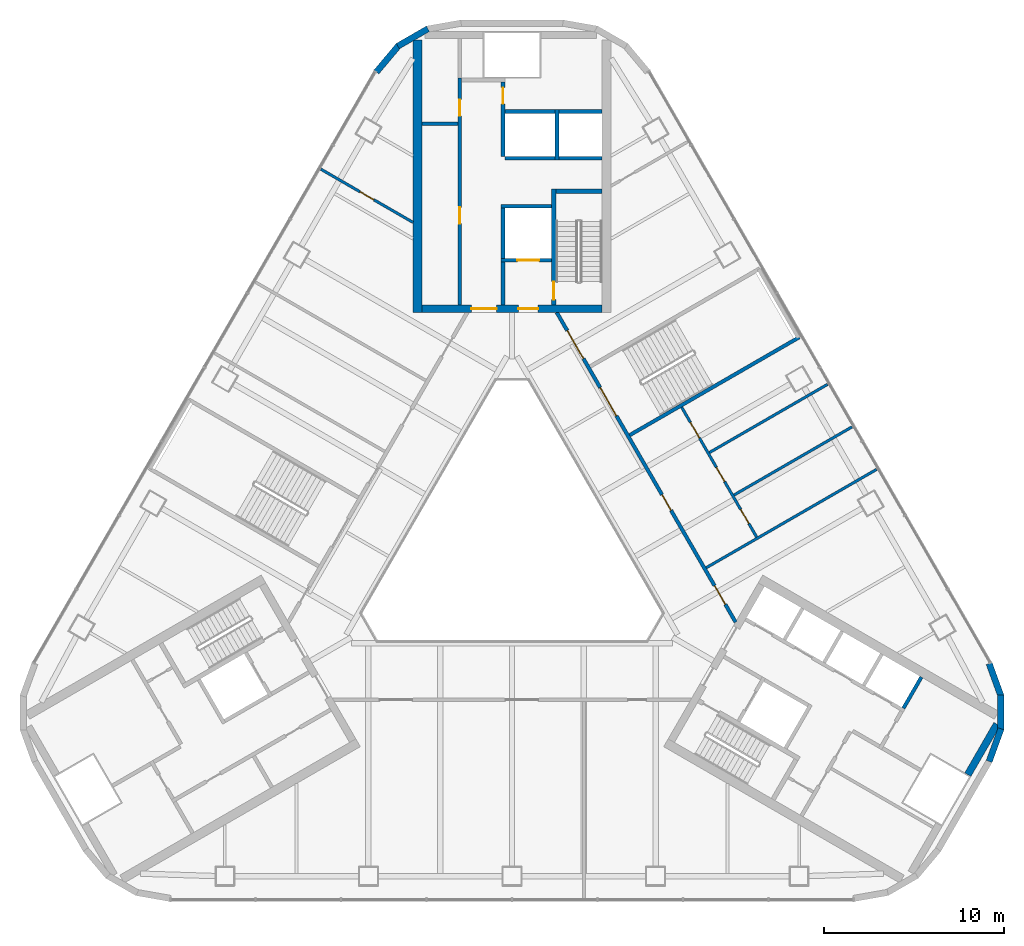
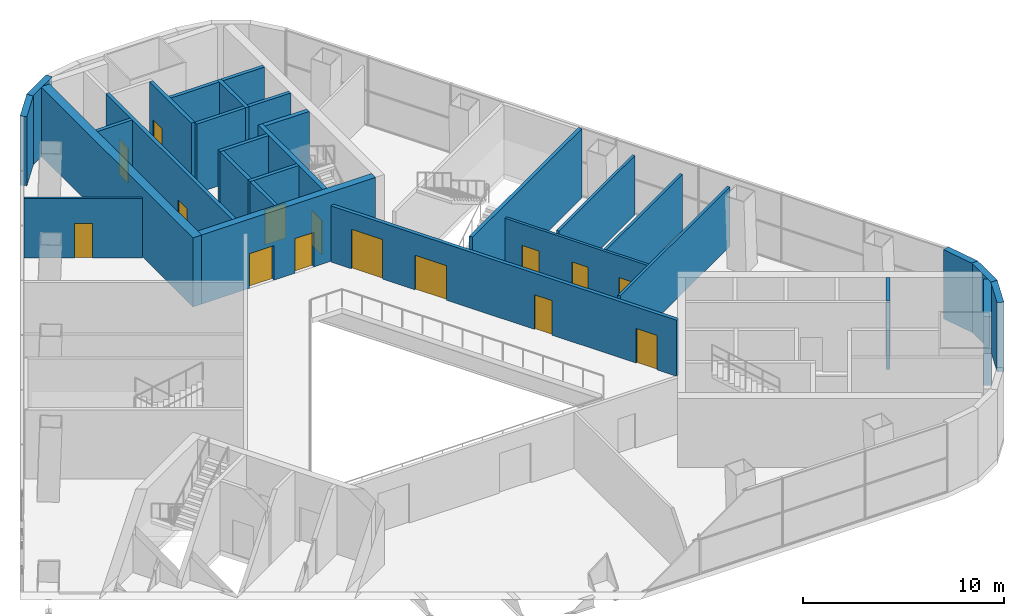
# One storey, part 9 of 12: 30 walls, 15 doors, 15 openings.
"""IFC4 building model written with IfcOpenShell, lengths in metres."""

from ifc_helpers import new_model, si_unit, direction, frame, frame_2d, origin, place, context, subcontext, project, spatial, rectangle, extrude, material, layer, layer_set, type_object, element, fill, save


model = new_model("IFC4")

# Units and contexts
model_context = context("Model", 3, precision=1e-05, world=origin(), true_north=direction((0.0, 1.0)))
body_context = subcontext(model_context, "Body", "Model", "MODEL_VIEW")
ifc_project = project(units=[si_unit("LENGTHUNIT", "METRE"), si_unit("AREAUNIT", "SQUARE_METRE"), si_unit("VOLUMEUNIT", "CUBIC_METRE"), si_unit("PLANEANGLEUNIT", "RADIAN"), si_unit("MASSUNIT", "GRAM", prefix="KILO")], contexts=[model_context])

# Site, building, storey
site_placement = place(None, origin())
site = spatial("IfcSite", under=ifc_project, at=site_placement, CompositionType="ELEMENT")
building_placement = place(site_placement, origin())
building = spatial("IfcBuilding", under=site, at=building_placement, Name="Apuvela Tower Hotel", CompositionType="ELEMENT")
storey_placement = place(building_placement, frame((0.0, 0.0, 28.5)))
storey = spatial("IfcBuildingStorey", under=building, at=storey_placement, Name="L04", CompositionType="ELEMENT", Elevation=28.5)

# Wall, openings, doors
ifc_material_1 = material(Name="Concrete C50/60", Category="concrete")
ifc_layer_1 = layer(ifc_material_1, 0.39990234375)
ifc_layer_set_1 = layer_set([ifc_layer_1], Name="COR-WALL-CORE-400")
wall_type_1 = type_object("IfcWallType", Name="COR-WALL-CORE-400", PredefinedType="SHEAR", material=ifc_layer_set_1)
wall_1_placement = place(storey_placement, frame((5.0, 13.10009765625, 0.0), z_axis=(0.0, 0.0, 1.0), x_axis=(-1.0, 0.0, 0.0)))
wall_1 = element("IfcWall", 1, at=wall_1_placement, inside=storey, type_object=wall_type_1, Name="Core wall N", PredefinedType="SHEAR", context=body_context, shape_type="SweptSolid", body=[
    extrude(rectangle(XDim=10.0, YDim=0.39990234375, at=frame_2d((5.0, 0.0))), origin(), (0.0, 0.0, 1.0), 4.199951171875),
])
opening_1_placement = place(wall_1_placement, frame((3.550048828125, 0.0, 0.0)))
opening_1 = element("IfcOpeningElement", 2, at=opening_1_placement, cuts=wall_1, Name="Opening N-FD", PredefinedType="OPENING", context=body_context, shape_type="SweptSolid", body=[
    extrude(rectangle(XDim=1.10009765625, YDim=2.10009765625, at=frame_2d((0.550048828125, 1.050048828125))), frame((0.0, 0.2099609375, 0.0), z_axis=(0.0, -1.0, 0.0), x_axis=(1.0, 0.0, 0.0)), (0.0, 0.0, 1.0), 0.419921875),
])
opening_2_placement = place(wall_1_placement, frame((5.85009765625, 0.0, 0.0)))
opening_2 = element("IfcOpeningElement", 3, at=opening_2_placement, cuts=wall_1, Name="Opening N-GD", PredefinedType="OPENING", context=body_context, shape_type="SweptSolid", body=[
    extrude(rectangle(XDim=1.39990234375, YDim=2.10009765625, at=frame_2d((0.699951171875, 1.050048828125))), frame((0.0, 0.2099609375, 0.0), z_axis=(0.0, -1.0, 0.0), x_axis=(1.0, 0.0, 0.0)), (0.0, 0.0, 1.0), 0.419921875),
])
ifc_material_2 = material(Name="Steel fire door, powder coated", Category="steel")
door_type_1 = type_object("IfcDoorType", Name="COR-FD-1100", OperationType="NOTDEFINED", PredefinedType="DOOR", material=ifc_material_2)
door_1_placement = place(opening_1_placement, frame((1.10009765625, 0.0, 0.0), z_axis=(0.0, 0.0, 1.0), x_axis=(-1.0, 0.0, 0.0)))
door_1 = element("IfcDoor", 4, at=door_1_placement, inside=storey, type_object=door_type_1, Name="Firefighting lobby door N-FD", OperationType="SINGLE_SWING_LEFT", OverallHeight=2.10009765625, OverallWidth=1.10009765625, PredefinedType="DOOR", context=body_context, shape_type="SweptSolid", body=[
    extrude(rectangle(XDim=1.10009765625, YDim=2.10009765625, at=frame_2d((0.550048828125, 1.050048828125))), frame((0.0, 0.02490234375, 0.0), z_axis=(0.0, -1.0, 0.0), x_axis=(1.0, 0.0, 0.0)), (0.0, 0.0, 1.0), 0.050048828125),
])
fill(opening_1, door_1)
ifc_material_3 = material(Name="Glazed steel fire door", Category="steel")
door_type_2 = type_object("IfcDoorType", Name="COR-GD-1400", OperationType="DOUBLE_DOOR_SINGLE_SWING", PredefinedType="DOOR", material=ifc_material_3)
door_2_placement = place(opening_2_placement, frame((1.39990234375, 0.0, 0.0), z_axis=(0.0, 0.0, 1.0), x_axis=(-1.0, 0.0, 0.0)))
door_2 = element("IfcDoor", 5, at=door_2_placement, inside=storey, type_object=door_type_2, Name="Lift lobby door N-GD", OperationType="DOUBLE_DOOR_SINGLE_SWING", OverallHeight=2.10009765625, OverallWidth=1.39990234375, PredefinedType="DOOR", context=body_context, shape_type="SweptSolid", body=[
    extrude(rectangle(XDim=1.39990234375, YDim=2.10009765625, at=frame_2d((0.699951171875, 1.050048828125))), frame((0.0, 0.02490234375, 0.0), z_axis=(0.0, -1.0, 0.0), x_axis=(1.0, 0.0, 0.0)), (0.0, 0.0, 1.0), 0.050048828125),
])
fill(opening_2, door_2)

# Walls
wall_2_placement = place(storey_placement, frame((25.30859375, -12.764404296875, 0.0), z_axis=(0.0, 0.0, 1.0), x_axis=(0.499955552719, 0.866051063914, 0.0)))
element("IfcWall", 6, at=wall_2_placement, inside=storey, type_object=wall_type_1, Name="Core wall SE", PredefinedType="SHEAR", context=body_context, shape_type="SweptSolid", body=[
    extrude(rectangle(XDim=3.233642578125, YDim=0.39990234375, at=frame_2d((1.61669921875, 0.0))), origin(), (0.0, 0.0, 1.0), 4.199951171875),
])
ifc_layer_2 = layer(ifc_material_1, 0.5)
ifc_layer_set_2 = layer_set([ifc_layer_2], Name="COR-WALL-CORE-500")
wall_type_2 = type_object("IfcWallType", Name="COR-WALL-CORE-500", PredefinedType="SHEAR", material=ifc_layer_set_2)
wall_3_placement = place(storey_placement, frame((-5.25, 12.89990234375, 0.0), z_axis=(0.0, 0.0, 1.0), x_axis=(0.0, 1.0, 0.0)))
element("IfcWall", 7, at=wall_3_placement, inside=storey, type_object=wall_type_2, Name="Core wall N", PredefinedType="SHEAR", context=body_context, shape_type="SweptSolid", body=[
    extrude(rectangle(XDim=15.13037109375, YDim=0.5, at=frame_2d((7.565185546875, 0.0))), origin(), (0.0, 0.0, 1.0), 4.199951171875),
])
ifc_material_4 = material(Name="Blockwork 200 mm plastered", Category="masonry")
ifc_layer_3 = layer(ifc_material_4, 0.199951171875)
ifc_layer_set_3 = layer_set([ifc_layer_3], Name="COR-WALL-PART-200")
wall_type_3 = type_object("IfcWallType", Name="COR-WALL-PART-200", PredefinedType="PARTITIONING", material=ifc_layer_set_3)
wall_4_placement = place(storey_placement, frame((5.0, 21.449951171875, 0.0), z_axis=(0.0, 0.0, 1.0), x_axis=(-1.0, 0.0, 0.0)))
element("IfcWall", 8, at=wall_4_placement, inside=storey, type_object=wall_type_3, Name="Partition N", PredefinedType="PARTITIONING", context=body_context, shape_type="SweptSolid", body=[
    extrude(rectangle(XDim=2.39990234375, YDim=0.199951171875, at=frame_2d((1.199951171875, 0.0))), origin(), (0.0, 0.0, 1.0), 4.199951171875),
])
wall_5_placement = place(storey_placement, frame((2.39990234375, 21.449951171875, 0.0), z_axis=(0.0, 0.0, 1.0), x_axis=(-1.0, 0.0, 0.0)))
element("IfcWall", 9, at=wall_5_placement, inside=storey, type_object=wall_type_3, Name="Partition N", PredefinedType="PARTITIONING", context=body_context, shape_type="SweptSolid", body=[
    extrude(rectangle(XDim=2.7998046875, YDim=0.199951171875, at=frame_2d((1.39990234375, 0.0))), origin(), (0.0, 0.0, 1.0), 4.199951171875),
])
ifc_layer_4 = layer(ifc_material_1, 0.199951171875)
ifc_layer_set_4 = layer_set([ifc_layer_4], Name="COR-WALL-SHAFT-200")
wall_type_4 = type_object("IfcWallType", Name="COR-WALL-SHAFT-200", PredefinedType="SHEAR", material=ifc_layer_set_4)
wall_6_placement = place(storey_placement, frame((2.199951171875, 18.800048828125, 0.0), z_axis=(0.0, 0.0, 1.0), x_axis=(-1.0, 0.0, 0.0)))
element("IfcWall", 10, at=wall_6_placement, inside=storey, type_object=wall_type_4, Name="Shaft wall N", PredefinedType="SHEAR", context=body_context, shape_type="SweptSolid", body=[
    extrude(rectangle(XDim=2.800048828125, YDim=0.199951171875, at=frame_2d((1.39990234375, 0.0))), origin(), (0.0, 0.0, 1.0), 4.199951171875),
])

# Wall, opening, door
wall_7_placement = place(storey_placement, frame((2.199951171875, 15.800048828125, 0.0), z_axis=(0.0, 0.0, 1.0), x_axis=(-1.0, 0.0, 0.0)))
wall_7 = element("IfcWall", 11, at=wall_7_placement, inside=storey, type_object=wall_type_4, Name="Shaft wall N", PredefinedType="SHEAR", context=body_context, shape_type="SweptSolid", body=[
    extrude(rectangle(XDim=2.800048828125, YDim=0.199951171875, at=frame_2d((1.39990234375, 0.0))), origin(), (0.0, 0.0, 1.0), 4.199951171875),
])
opening_3_placement = place(wall_7_placement, frame((0.699951171875, 0.0, 0.0)))
opening_3 = element("IfcOpeningElement", 12, at=opening_3_placement, cuts=wall_7, Name="Opening N-LD-FS1", PredefinedType="OPENING", context=body_context, shape_type="SweptSolid", body=[
    extrude(rectangle(XDim=1.199951171875, YDim=2.10009765625, at=frame_2d((0.60009765625, 1.050048828125))), frame((0.0, 0.10986328125, 0.0), z_axis=(0.0, -1.0, 0.0), x_axis=(1.0, 0.0, 0.0)), (0.0, 0.0, 1.0), 0.219970703125),
])
ifc_material_5 = material(Name="Stainless steel lift landing door", Category="steel")
door_type_3 = type_object("IfcDoorType", Name="COR-LD-1200", OperationType="DOUBLE_DOOR_SLIDING", PredefinedType="DOOR", material=ifc_material_5)
door_3_placement = place(opening_3_placement, origin())
door_3 = element("IfcDoor", 13, at=door_3_placement, inside=storey, type_object=door_type_3, Name="Lift landing door N-LD-FS1", OperationType="DOUBLE_DOOR_SLIDING", OverallHeight=2.10009765625, OverallWidth=1.199951171875, PredefinedType="DOOR", context=body_context, shape_type="SweptSolid", body=[
    extrude(rectangle(XDim=1.199951171875, YDim=2.10009765625, at=frame_2d((0.60009765625, 1.050048828125))), frame((0.0, 0.02490234375, 0.0), z_axis=(0.0, -1.0, 0.0), x_axis=(1.0, 0.0, 0.0)), (0.0, 0.0, 1.0), 0.050048828125),
])
fill(opening_3, door_3)

# Walls
wall_8_placement = place(storey_placement, frame((-0.5, 15.89990234375, 0.0), z_axis=(0.0, 0.0, 1.0), x_axis=(0.0, 1.0, 0.0)))
element("IfcWall", 14, at=wall_8_placement, inside=storey, type_object=wall_type_4, Name="Shaft wall N", PredefinedType="SHEAR", context=body_context, shape_type="SweptSolid", body=[
    extrude(rectangle(XDim=2.800048828125, YDim=0.199951171875, at=frame_2d((1.39990234375, 0.0))), origin(), (0.0, 0.0, 1.0), 4.199951171875),
])
wall_9_placement = place(storey_placement, frame((-0.5, 13.300048828125, 0.0), z_axis=(0.0, 0.0, 1.0), x_axis=(0.0, 1.0, 0.0)))
element("IfcWall", 15, at=wall_9_placement, inside=storey, type_object=wall_type_4, Name="Shaft wall N", PredefinedType="SHEAR", context=body_context, shape_type="SweptSolid", body=[
    extrude(rectangle(XDim=2.39990234375, YDim=0.199951171875, at=frame_2d((1.199951171875, 0.0))), origin(), (0.0, 0.0, 1.0), 4.199951171875),
])

# Wall, openings, doors
wall_10_placement = place(storey_placement, frame((-2.89990234375, 13.300048828125, 0.0), z_axis=(0.0, 0.0, 1.0), x_axis=(0.0, 1.0, 0.0)))
wall_10 = element("IfcWall", 16, at=wall_10_placement, inside=storey, type_object=wall_type_4, Name="Shaft wall N", PredefinedType="SHEAR", context=body_context, shape_type="SweptSolid", body=[
    extrude(rectangle(XDim=12.599853515625, YDim=0.199951171875, at=frame_2d((6.2998046875, 0.0))), origin(), (0.0, 0.0, 1.0), 4.199951171875),
])
opening_4_placement = place(wall_10_placement, frame((4.530029296875, 0.0, 0.0)))
opening_4 = element("IfcOpeningElement", 17, at=opening_4_placement, cuts=wall_10, Name="Opening N-RE1", PredefinedType="OPENING", context=body_context, shape_type="SweptSolid", body=[
    extrude(rectangle(XDim=0.89990234375, YDim=2.10009765625, at=frame_2d((0.449951171875, 1.050048828125))), frame((0.0, 0.10986328125, 0.0), z_axis=(0.0, -1.0, 0.0), x_axis=(1.0, 0.0, 0.0)), (0.0, 0.0, 1.0), 0.219970703125),
])
opening_5_placement = place(wall_10_placement, frame((10.510009765625, 0.0, 0.0)))
opening_5 = element("IfcOpeningElement", 18, at=opening_5_placement, cuts=wall_10, Name="Opening N-REP", PredefinedType="OPENING", context=body_context, shape_type="SweptSolid", body=[
    extrude(rectangle(XDim=0.89990234375, YDim=2.10009765625, at=frame_2d((0.449951171875, 1.050048828125))), frame((0.0, 0.10986328125, 0.0), z_axis=(0.0, -1.0, 0.0), x_axis=(1.0, 0.0, 0.0)), (0.0, 0.0, 1.0), 0.219970703125),
])
door_type_4 = type_object("IfcDoorType", Name="COR-DR-900", OperationType="NOTDEFINED", PredefinedType="DOOR", material=ifc_material_2)
door_4_placement = place(opening_4_placement, origin())
door_4 = element("IfcDoor", 19, at=door_4_placement, inside=storey, type_object=door_type_4, Name="Store door N-RE1", OperationType="SINGLE_SWING_LEFT", OverallHeight=2.10009765625, OverallWidth=0.89990234375, PredefinedType="DOOR", context=body_context, shape_type="SweptSolid", body=[
    extrude(rectangle(XDim=0.89990234375, YDim=2.10009765625, at=frame_2d((0.449951171875, 1.050048828125))), frame((0.0, 0.02490234375, 0.0), z_axis=(0.0, -1.0, 0.0), x_axis=(1.0, 0.0, 0.0)), (0.0, 0.0, 1.0), 0.050048828125),
])
fill(opening_4, door_4)
door_5_placement = place(opening_5_placement, origin())
door_5 = element("IfcDoor", 20, at=door_5_placement, inside=storey, type_object=door_type_4, Name="Store door N-REP", OperationType="SINGLE_SWING_RIGHT", OverallHeight=2.10009765625, OverallWidth=0.89990234375, PredefinedType="DOOR", context=body_context, shape_type="SweptSolid", body=[
    extrude(rectangle(XDim=0.89990234375, YDim=2.10009765625, at=frame_2d((0.449951171875, 1.050048828125))), frame((0.0, 0.02490234375, 0.0), z_axis=(0.0, -1.0, 0.0), x_axis=(1.0, 0.0, 0.0)), (0.0, 0.0, 1.0), 0.050048828125),
])
fill(opening_5, door_5)

# Wall, opening, door
wall_11_placement = place(storey_placement, frame((-0.5, 21.550048828125, 0.0), z_axis=(0.0, 0.0, 1.0), x_axis=(0.0, 1.0, 0.0)))
wall_11 = element("IfcWall", 21, at=wall_11_placement, inside=storey, type_object=wall_type_4, Name="Shaft wall N", PredefinedType="SHEAR", context=body_context, shape_type="SweptSolid", body=[
    extrude(rectangle(XDim=4.14990234375, YDim=0.199951171875, at=frame_2d((2.074951171875, 0.0))), origin(), (0.0, 0.0, 1.0), 4.199951171875),
])
opening_6_placement = place(wall_11_placement, frame((2.925048828125, 0.0, 0.0)))
opening_6 = element("IfcOpeningElement", 22, at=opening_6_placement, cuts=wall_11, Name="Opening N-RSP", PredefinedType="OPENING", context=body_context, shape_type="SweptSolid", body=[
    extrude(rectangle(XDim=0.89990234375, YDim=2.10009765625, at=frame_2d((0.449951171875, 1.050048828125))), frame((0.0, 0.10986328125, 0.0), z_axis=(0.0, -1.0, 0.0), x_axis=(1.0, 0.0, 0.0)), (0.0, 0.0, 1.0), 0.219970703125),
])
door_6_placement = place(opening_6_placement, frame((0.89990234375, 0.0, 0.0), z_axis=(0.0, 0.0, 1.0), x_axis=(-1.0, 0.0, 0.0)))
door_6 = element("IfcDoor", 23, at=door_6_placement, inside=storey, type_object=door_type_4, Name="Store door N-RSP", OperationType="SINGLE_SWING_LEFT", OverallHeight=2.10009765625, OverallWidth=0.89990234375, PredefinedType="DOOR", context=body_context, shape_type="SweptSolid", body=[
    extrude(rectangle(XDim=0.89990234375, YDim=2.10009765625, at=frame_2d((0.449951171875, 1.050048828125))), frame((0.0, 0.02490234375, 0.0), z_axis=(0.0, -1.0, 0.0), x_axis=(1.0, 0.0, 0.0)), (0.0, 0.0, 1.0), 0.050048828125),
])
fill(opening_6, door_6)

# Walls
wall_12_placement = place(storey_placement, frame((-3.0, 23.360107421875, 0.0), z_axis=(0.0, 0.0, 1.0), x_axis=(-1.0, 0.0, 0.0)))
element("IfcWall", 24, at=wall_12_placement, inside=storey, type_object=wall_type_4, Name="Shaft wall N", PredefinedType="SHEAR", context=body_context, shape_type="SweptSolid", body=[
    extrude(rectangle(XDim=2.0, YDim=0.199951171875, at=frame_2d((1.0, 0.0))), origin(), (0.0, 0.0, 1.0), 4.199951171875),
])
wall_13_placement = place(storey_placement, frame((2.5, 21.35009765625, 0.0), z_axis=(0.0, 0.0, 1.0), x_axis=(0.0, 1.0, 0.0)))
element("IfcWall", 25, at=wall_13_placement, inside=storey, type_object=wall_type_4, Name="Shaft wall N", PredefinedType="SHEAR", context=body_context, shape_type="SweptSolid", body=[
    extrude(rectangle(XDim=2.7998046875, YDim=0.199951171875, at=frame_2d((1.39990234375, 0.0))), origin(), (0.0, 0.0, 1.0), 4.199951171875),
])
wall_14_placement = place(storey_placement, frame((5.0, 24.050048828125, 0.0), z_axis=(0.0, 0.0, 1.0), x_axis=(-1.0, 0.0, 0.0)))
element("IfcWall", 26, at=wall_14_placement, inside=storey, type_object=wall_type_4, Name="Shaft wall N", PredefinedType="SHEAR", context=body_context, shape_type="SweptSolid", body=[
    extrude(rectangle(XDim=2.39990234375, YDim=0.199951171875, at=frame_2d((1.199951171875, 0.0))), origin(), (0.0, 0.0, 1.0), 4.199951171875),
])
wall_15_placement = place(storey_placement, frame((2.39990234375, 24.050048828125, 0.0), z_axis=(0.0, 0.0, 1.0), x_axis=(-1.0, 0.0, 0.0)))
element("IfcWall", 27, at=wall_15_placement, inside=storey, type_object=wall_type_4, Name="Shaft wall N", PredefinedType="SHEAR", context=body_context, shape_type="SweptSolid", body=[
    extrude(rectangle(XDim=2.7998046875, YDim=0.199951171875, at=frame_2d((1.39990234375, 0.0))), origin(), (0.0, 0.0, 1.0), 4.199951171875),
])
wall_16_placement = place(storey_placement, frame((21.73046875, -9.081787109375, 0.0), z_axis=(0.0, 0.0, 1.0), x_axis=(0.50002537861, 0.866010750942, 0.0)))
element("IfcWall", 28, at=wall_16_placement, inside=storey, type_object=wall_type_4, Name="Shaft wall SE", PredefinedType="SHEAR", context=body_context, shape_type="SweptSolid", body=[
    extrude(rectangle(XDim=2.0, YDim=0.199951171875, at=frame_2d((1.0, 0.0))), origin(), (0.0, 0.0, 1.0), 4.199951171875),
])

# Wall, opening, door
ifc_layer_5 = layer(ifc_material_1, 0.25)
ifc_layer_set_5 = layer_set([ifc_layer_5], Name="COR-WALL-STAIR-250")
wall_type_5 = type_object("IfcWallType", Name="COR-WALL-STAIR-250", PredefinedType="SHEAR", material=ifc_layer_set_5)
wall_17_placement = place(storey_placement, frame((2.324951171875, 13.300048828125, 0.0), z_axis=(0.0, 0.0, 1.0), x_axis=(0.0, 1.0, 0.0)))
wall_17 = element("IfcWall", 29, at=wall_17_placement, inside=storey, type_object=wall_type_5, Name="Stair wall N", PredefinedType="SHEAR", context=body_context, shape_type="SweptSolid", body=[
    extrude(rectangle(XDim=6.449951171875, YDim=0.25, at=frame_2d((3.22509765625, 0.0))), origin(), (0.0, 0.0, 1.0), 4.199951171875),
])
opening_7_placement = place(wall_17_placement, frame((0.300048828125, 0.0, 0.0)))
opening_7 = element("IfcOpeningElement", 30, at=opening_7_placement, cuts=wall_17, Name="Opening N-SD", PredefinedType="OPENING", context=body_context, shape_type="SweptSolid", body=[
    extrude(rectangle(XDim=1.0, YDim=2.10009765625, at=frame_2d((0.5, 1.050048828125))), frame((0.0, 0.135009765625, 0.0), z_axis=(0.0, -1.0, 0.0), x_axis=(1.0, 0.0, 0.0)), (0.0, 0.0, 1.0), 0.27001953125),
])
door_type_5 = type_object("IfcDoorType", Name="COR-SD-1000", OperationType="NOTDEFINED", PredefinedType="DOOR", material=ifc_material_2)
door_7_placement = place(opening_7_placement, frame((1.0, 0.0, 0.0), z_axis=(0.0, 0.0, 1.0), x_axis=(-1.0, 0.0, 0.0)))
door_7 = element("IfcDoor", 31, at=door_7_placement, inside=storey, type_object=door_type_5, Name="Stair door N-SD", OperationType="SINGLE_SWING_LEFT", OverallHeight=2.10009765625, OverallWidth=1.0, PredefinedType="DOOR", context=body_context, shape_type="SweptSolid", body=[
    extrude(rectangle(XDim=1.0, YDim=2.10009765625, at=frame_2d((0.5, 1.050048828125))), frame((0.0, 0.02490234375, 0.0), z_axis=(0.0, -1.0, 0.0), x_axis=(1.0, 0.0, 0.0)), (0.0, 0.0, 1.0), 0.050048828125),
])
fill(opening_7, door_7)

# Walls
wall_18_placement = place(storey_placement, frame((5.0, 19.625, 0.0), z_axis=(0.0, 0.0, 1.0), x_axis=(-1.0, 0.0, 0.0)))
element("IfcWall", 32, at=wall_18_placement, inside=storey, type_object=wall_type_5, Name="Stair wall N", PredefinedType="SHEAR", context=body_context, shape_type="SweptSolid", body=[
    extrude(rectangle(XDim=2.550048828125, YDim=0.25, at=frame_2d((1.27490234375, 0.0))), origin(), (0.0, 0.0, 1.0), 4.199951171875),
])
ifc_material_6 = material(Name="Concrete C40/50, dark pigmented precast panel", Category="concrete")
ifc_layer_6 = layer(ifc_material_6, 0.35009765625)
ifc_layer_set_6 = layer_set([ifc_layer_6], Name="ENV-WALL-350")
wall_type_6 = type_object("IfcWallType", Name="ENV-WALL-350", PredefinedType="SOLIDWALL", material=ifc_layer_set_6)
for number, where, z_axis, x_axis, name in (
    (33, (-4.6669921875, 28.64453125, 0.0), (0.0, 0.0, 1.0), (-0.866052736899, -0.499952654668, 0.0), "External wall L04-05"),
    (34, (-6.2900390625, 27.7197265625, 0.0), (0.0, 0.0, 1.0), (-0.642746534531, -0.76607890739, 0.0), "External wall L04-06"),
):
    element("IfcWall", number, at=place(storey_placement, frame(where, z_axis=z_axis, x_axis=x_axis)), inside=storey, type_object=wall_type_6, Name=name, PredefinedType="SOLIDWALL", context=body_context, shape_type="SweptSolid", body=[
        extrude(rectangle(XDim=1.927978515625, YDim=0.35009765625, at=frame_2d((0.9638671875, 0.0))), origin(), (0.0, 0.0, 1.0), 4.199951171875),
    ])
for number, where, z_axis, x_axis, name in (
    (35, (26.491455078125, -12.03271484375, 0.0), (0.0, 0.0, 1.0), (0.341976867365, 0.939708370819, 0.0), "External wall L04-20"),
    (36, (27.140380859375, -10.28076171875, 0.0), (0.0, 0.0, 1.0), (0.0, 1.0, 0.0), "External wall L04-21"),
    (37, (27.15087890625, -8.41259765625, 0.0), (0.0, 0.0, 1.0), (-0.341976867365, 0.939708370819, 0.0), "External wall L04-22"),
):
    element("IfcWall", number, at=place(storey_placement, frame(where, z_axis=z_axis, x_axis=x_axis)), inside=storey, type_object=wall_type_6, Name=name, PredefinedType="SOLIDWALL", context=body_context, shape_type="SweptSolid", body=[
        extrude(rectangle(XDim=1.92822265625, YDim=0.35009765625, at=frame_2d((0.964111328125, 0.0))), origin(), (0.0, 0.0, 1.0), 4.199951171875),
    ])

# Wall, openings, doors
ifc_material_7 = material(Name="Fire-rated gypsum board partition on steel stud", Category="steel")
ifc_layer_7 = layer(ifc_material_7, 0.199951171875)
ifc_layer_set_7 = layer_set([ifc_layer_7], Name="SPC-WALL-CORRIDOR")
wall_type_7 = type_object("IfcWallType", Name="SPC-WALL-CORRIDOR", PredefinedType="PARTITIONING", material=ifc_layer_set_7)
wall_19_placement = place(storey_placement, frame((12.4130859375, -4.300048828125, 0.0), z_axis=(0.0, 0.0, 1.0), x_axis=(-0.50000478328, 0.866022642139, 0.0)))
wall_19 = element("IfcWall", 38, at=wall_19_placement, inside=storey, type_object=wall_type_7, Name="Wall L04-NE-CW", PredefinedType="PARTITIONING", context=body_context, shape_type="SweptSolid", body=[
    extrude(rectangle(XDim=19.861083984375, YDim=0.199951171875, at=frame_2d((9.9306640625, 0.0))), origin(), (0.0, 0.0, 1.0), 3.409912109375),
])
opening_8_placement = place(wall_19_placement, frame((1.133544921875, 0.0, 0.0)))
opening_8 = element("IfcOpeningElement", 39, at=opening_8_placement, cuts=wall_19, Name="Opening L04-S01", PredefinedType="OPENING", context=body_context, shape_type="SweptSolid", body=[
    extrude(rectangle(XDim=1.199951171875, YDim=2.10009765625, at=frame_2d((0.60009765625, 1.050048828125))), frame((0.0, 0.10986328125, 0.0), z_axis=(0.0, -1.0, 0.0), x_axis=(1.0, 0.0, 0.0)), (0.0, 0.0, 1.0), 0.219970703125),
])
opening_9_placement = place(wall_19_placement, frame((16.889892578125, 0.0, 0.0)))
opening_9 = element("IfcOpeningElement", 40, at=opening_9_placement, cuts=wall_19, Name="Opening L04-S02", PredefinedType="OPENING", context=body_context, shape_type="SweptSolid", body=[
    extrude(rectangle(XDim=1.800048828125, YDim=2.39990234375, at=frame_2d((0.89990234375, 1.199951171875))), frame((0.0, 0.10986328125, 0.0), z_axis=(0.0, -1.0, 0.0), x_axis=(1.0, 0.0, 0.0)), (0.0, 0.0, 1.0), 0.219970703125),
])
opening_10_placement = place(wall_19_placement, frame((13.23046875, 0.0, 0.0)))
opening_10 = element("IfcOpeningElement", 41, at=opening_10_placement, cuts=wall_19, Name="Opening L04-S04", PredefinedType="OPENING", context=body_context, shape_type="SweptSolid", body=[
    extrude(rectangle(XDim=1.800048828125, YDim=2.10009765625, at=frame_2d((0.89990234375, 1.050048828125))), frame((0.0, 0.10986328125, 0.0), z_axis=(0.0, -1.0, 0.0), x_axis=(1.0, 0.0, 0.0)), (0.0, 0.0, 1.0), 0.219970703125),
])
opening_11_placement = place(wall_19_placement, frame((7.16796875, 0.0, 0.0)))
opening_11 = element("IfcOpeningElement", 42, at=opening_11_placement, cuts=wall_19, Name="Opening L04-S15", PredefinedType="OPENING", context=body_context, shape_type="SweptSolid", body=[
    extrude(rectangle(XDim=1.0, YDim=2.10009765625, at=frame_2d((0.5, 1.050048828125))), frame((0.0, 0.10986328125, 0.0), z_axis=(0.0, -1.0, 0.0), x_axis=(1.0, 0.0, 0.0)), (0.0, 0.0, 1.0), 0.219970703125),
])
ifc_material_8 = material(Name="Fire-rated hardwood veneer door leaf", Category="wood")
door_type_6 = type_object("IfcDoorType", Name="SPC-DOOR-1000-FD", OperationType="NOTDEFINED", PredefinedType="DOOR", material=ifc_material_8)
door_8_placement = place(opening_11_placement, frame((1.0, 0.0, 0.0), z_axis=(0.0, 0.0, 1.0), x_axis=(-1.0, 0.0, 0.0)))
door_8 = element("IfcDoor", 43, at=door_8_placement, inside=storey, type_object=door_type_6, Name="L04-S15", OperationType="SINGLE_SWING_LEFT", OverallHeight=2.10009765625, OverallWidth=1.0, PredefinedType="DOOR", context=body_context, shape_type="SweptSolid", body=[
    extrude(rectangle(XDim=1.0, YDim=2.10009765625, at=frame_2d((0.5, 1.050048828125))), frame((0.0, 0.02490234375, 0.0), z_axis=(0.0, -1.0, 0.0), x_axis=(1.0, 0.0, 0.0)), (0.0, 0.0, 1.0), 0.050048828125),
])
fill(opening_11, door_8)
door_type_7 = type_object("IfcDoorType", Name="SPC-DOOR-1200-FD", OperationType="NOTDEFINED", PredefinedType="DOOR", material=ifc_material_8)
door_9_placement = place(opening_8_placement, frame((1.199951171875, 0.0, 0.0), z_axis=(0.0, 0.0, 1.0), x_axis=(-1.0, 0.0, 0.0)))
door_9 = element("IfcDoor", 44, at=door_9_placement, inside=storey, type_object=door_type_7, Name="L04-S01", OperationType="SINGLE_SWING_RIGHT", OverallHeight=2.10009765625, OverallWidth=1.199951171875, PredefinedType="DOOR", context=body_context, shape_type="SweptSolid", body=[
    extrude(rectangle(XDim=1.199951171875, YDim=2.10009765625, at=frame_2d((0.60009765625, 1.050048828125))), frame((0.0, 0.02490234375, 0.0), z_axis=(0.0, -1.0, 0.0), x_axis=(1.0, 0.0, 0.0)), (0.0, 0.0, 1.0), 0.050048828125),
])
fill(opening_8, door_9)
door_type_8 = type_object("IfcDoorType", Name="SPC-DOOR-1800-FD", OperationType="NOTDEFINED", PredefinedType="DOOR", material=ifc_material_8)
door_10_placement = place(opening_9_placement, origin())
door_10 = element("IfcDoor", 45, at=door_10_placement, inside=storey, type_object=door_type_8, Name="L04-S02", OperationType="DOUBLE_DOOR_SINGLE_SWING", OverallHeight=2.39990234375, OverallWidth=1.800048828125, PredefinedType="DOOR", context=body_context, shape_type="SweptSolid", body=[
    extrude(rectangle(XDim=1.800048828125, YDim=2.39990234375, at=frame_2d((0.89990234375, 1.199951171875))), frame((0.0, 0.02490234375, 0.0), z_axis=(0.0, -1.0, 0.0), x_axis=(1.0, 0.0, 0.0)), (0.0, 0.0, 1.0), 0.050048828125),
])
fill(opening_9, door_10)
ifc_material_9 = material(Name="Steel fire door leaf", Category="steel")
door_type_9 = type_object("IfcDoorType", Name="SPC-DOOR-1800-STAIR", OperationType="NOTDEFINED", PredefinedType="DOOR", material=ifc_material_9)
door_11_placement = place(opening_10_placement, frame((1.800048828125, 0.0, 0.0), z_axis=(0.0, 0.0, 1.0), x_axis=(-1.0, 0.0, 0.0)))
door_11 = element("IfcDoor", 46, at=door_11_placement, inside=storey, type_object=door_type_9, Name="L04-S04", OperationType="DOUBLE_DOOR_SINGLE_SWING", OverallHeight=2.10009765625, OverallWidth=1.800048828125, PredefinedType="DOOR", context=body_context, shape_type="SweptSolid", body=[
    extrude(rectangle(XDim=1.800048828125, YDim=2.10009765625, at=frame_2d((0.89990234375, 1.050048828125))), frame((0.0, 0.02490234375, 0.0), z_axis=(0.0, -1.0, 0.0), x_axis=(1.0, 0.0, 0.0)), (0.0, 0.0, 1.0), 0.050048828125),
])
fill(opening_10, door_11)

ifc_material_10 = material(Name="Gypsum board partition on steel stud", Category="steel")
ifc_layer_8 = layer(ifc_material_10, 0.14990234375)
ifc_layer_set_8 = layer_set([ifc_layer_8], Name="SPC-WALL-PARTITION")
wall_type_8 = type_object("IfcWallType", Name="SPC-WALL-PARTITION", PredefinedType="PARTITIONING", material=ifc_layer_set_8)
wall_20_placement = place(storey_placement, frame((13.58251953125, 0.4228515625, 0.0), z_axis=(0.0, 0.0, 1.0), x_axis=(-0.500005920892, 0.866021985329, 0.0)))
wall_20 = element("IfcWall", 47, at=wall_20_placement, inside=storey, type_object=wall_type_8, Name="Wall L04-NE-P01", PredefinedType="PARTITIONING", context=body_context, shape_type="SweptSolid", body=[
    extrude(rectangle(XDim=8.3251953125, YDim=0.14990234375, at=frame_2d((4.16259765625, 0.0))), origin(), (0.0, 0.0, 1.0), 3.409912109375),
])
opening_12_placement = place(wall_20_placement, frame((6.3544921875, 0.0, 0.0)))
opening_12 = element("IfcOpeningElement", 48, at=opening_12_placement, cuts=wall_20, Name="Opening L04-S14", PredefinedType="OPENING", context=body_context, shape_type="SweptSolid", body=[
    extrude(rectangle(XDim=1.0, YDim=2.10009765625, at=frame_2d((0.5, 1.050048828125))), frame((0.0, 0.0849609375, 0.0), z_axis=(0.0, -1.0, 0.0), x_axis=(1.0, 0.0, 0.0)), (0.0, 0.0, 1.0), 0.169921875),
])
opening_13_placement = place(wall_20_placement, frame((3.5625, 0.0, 0.0)))
opening_13 = element("IfcOpeningElement", 49, at=opening_13_placement, cuts=wall_20, Name="Opening L04-S16", PredefinedType="OPENING", context=body_context, shape_type="SweptSolid", body=[
    extrude(rectangle(XDim=0.89990234375, YDim=2.10009765625, at=frame_2d((0.449951171875, 1.050048828125))), frame((0.0, 0.0849609375, 0.0), z_axis=(0.0, -1.0, 0.0), x_axis=(1.0, 0.0, 0.0)), (0.0, 0.0, 1.0), 0.169921875),
])
opening_14_placement = place(wall_20_placement, frame((0.87060546875, 0.0, 0.0)))
opening_14 = element("IfcOpeningElement", 50, at=opening_14_placement, cuts=wall_20, Name="Opening L04-S17", PredefinedType="OPENING", context=body_context, shape_type="SweptSolid", body=[
    extrude(rectangle(XDim=0.89990234375, YDim=2.10009765625, at=frame_2d((0.449951171875, 1.050048828125))), frame((0.0, 0.0849609375, 0.0), z_axis=(0.0, -1.0, 0.0), x_axis=(1.0, 0.0, 0.0)), (0.0, 0.0, 1.0), 0.169921875),
])
ifc_material_11 = material(Name="Hardwood veneer door leaf", Category="wood")
door_type_10 = type_object("IfcDoorType", Name="SPC-DOOR-1000", OperationType="NOTDEFINED", PredefinedType="DOOR", material=ifc_material_11)
door_12_placement = place(opening_12_placement, frame((1.0, 0.0, 0.0), z_axis=(0.0, 0.0, 1.0), x_axis=(-1.0, 0.0, 0.0)))
door_12 = element("IfcDoor", 51, at=door_12_placement, inside=storey, type_object=door_type_10, Name="L04-S14", OperationType="SINGLE_SWING_RIGHT", OverallHeight=2.10009765625, OverallWidth=1.0, PredefinedType="DOOR", context=body_context, shape_type="SweptSolid", body=[
    extrude(rectangle(XDim=1.0, YDim=2.10009765625, at=frame_2d((0.5, 1.050048828125))), frame((0.0, 0.02490234375, 0.0), z_axis=(0.0, -1.0, 0.0), x_axis=(1.0, 0.0, 0.0)), (0.0, 0.0, 1.0), 0.050048828125),
])
fill(opening_12, door_12)
door_type_11 = type_object("IfcDoorType", Name="SPC-DOOR-900", OperationType="NOTDEFINED", PredefinedType="DOOR", material=ifc_material_11)
door_13_placement = place(opening_13_placement, frame((0.89990234375, 0.0, 0.0), z_axis=(0.0, 0.0, 1.0), x_axis=(-1.0, 0.0, 0.0)))
door_13 = element("IfcDoor", 52, at=door_13_placement, inside=storey, type_object=door_type_11, Name="L04-S16", OperationType="SINGLE_SWING_RIGHT", OverallHeight=2.10009765625, OverallWidth=0.89990234375, PredefinedType="DOOR", context=body_context, shape_type="SweptSolid", body=[
    extrude(rectangle(XDim=0.89990234375, YDim=2.10009765625, at=frame_2d((0.449951171875, 1.050048828125))), frame((0.0, 0.02490234375, 0.0), z_axis=(0.0, -1.0, 0.0), x_axis=(1.0, 0.0, 0.0)), (0.0, 0.0, 1.0), 0.050048828125),
])
fill(opening_13, door_13)
door_14_placement = place(opening_14_placement, frame((0.89990234375, 0.0, 0.0), z_axis=(0.0, 0.0, 1.0), x_axis=(-1.0, 0.0, 0.0)))
door_14 = element("IfcDoor", 53, at=door_14_placement, inside=storey, type_object=door_type_11, Name="L04-S17", OperationType="SINGLE_SWING_LEFT", OverallHeight=2.10009765625, OverallWidth=0.89990234375, PredefinedType="DOOR", context=body_context, shape_type="SweptSolid", body=[
    extrude(rectangle(XDim=0.89990234375, YDim=2.10009765625, at=frame_2d((0.449951171875, 1.050048828125))), frame((0.0, 0.02490234375, 0.0), z_axis=(0.0, -1.0, 0.0), x_axis=(1.0, 0.0, 0.0)), (0.0, 0.0, 1.0), 0.050048828125),
])
fill(opening_14, door_14)

# Walls
wall_21_placement = place(storey_placement, frame((20.236572265625, 4.177978515625, 0.0), z_axis=(0.0, 0.0, 1.0), x_axis=(-0.866022430415, -0.500005149991, 0.0)))
element("IfcWall", 54, at=wall_21_placement, inside=storey, type_object=wall_type_8, Name="Wall L04-NE-P02", PredefinedType="PARTITIONING", context=body_context, shape_type="SweptSolid", body=[
    extrude(rectangle(XDim=10.91455078125, YDim=0.14990234375, at=frame_2d((5.457275390625, 0.0))), origin(), (0.0, 0.0, 1.0), 3.60009765625),
])
wall_22_placement = place(storey_placement, frame((18.8740234375, 6.537841796875, 0.0), z_axis=(0.0, 0.0, 1.0), x_axis=(-0.866028121412, -0.499995292902, 0.0)))
element("IfcWall", 55, at=wall_22_placement, inside=storey, type_object=wall_type_8, Name="Wall L04-NE-P03", PredefinedType="PARTITIONING", context=body_context, shape_type="SweptSolid", body=[
    extrude(rectangle(XDim=7.56494140625, YDim=0.14990234375, at=frame_2d((3.782470703125, 0.0))), origin(), (0.0, 0.0, 1.0), 3.409912109375),
])
wall_23_placement = place(storey_placement, frame((17.511474609375, 8.897705078125, 0.0), z_axis=(0.0, 0.0, 1.0), x_axis=(-0.866028121412, -0.499995292902, 0.0)))
element("IfcWall", 56, at=wall_23_placement, inside=storey, type_object=wall_type_8, Name="Wall L04-NE-P04", PredefinedType="PARTITIONING", context=body_context, shape_type="SweptSolid", body=[
    extrude(rectangle(XDim=7.56494140625, YDim=0.14990234375, at=frame_2d((3.782470703125, 0.0))), origin(), (0.0, 0.0, 1.0), 3.60009765625),
])

# Wall, opening, door
wall_24_placement = place(storey_placement, frame((-10.611572265625, 20.84912109375, 0.0), z_axis=(0.0, 0.0, 1.0), x_axis=(0.866007180818, -0.500031561776, 0.0)))
wall_24 = element("IfcWall", 57, at=wall_24_placement, inside=storey, type_object=wall_type_8, Name="Wall L04-NW-P01", PredefinedType="PARTITIONING", context=body_context, shape_type="SweptSolid", body=[
    extrude(rectangle(XDim=5.90234375, YDim=0.14990234375, at=frame_2d((2.951171875, 0.0))), origin(), (0.0, 0.0, 1.0), 3.60009765625),
])
opening_15_placement = place(wall_24_placement, frame((2.501220703125, 0.0, 0.0)))
opening_15 = element("IfcOpeningElement", 58, at=opening_15_placement, cuts=wall_24, Name="Opening L04-S10", PredefinedType="OPENING", context=body_context, shape_type="SweptSolid", body=[
    extrude(rectangle(XDim=0.89990234375, YDim=2.10009765625, at=frame_2d((0.449951171875, 1.050048828125))), frame((0.0, 0.0849609375, 0.0), z_axis=(0.0, -1.0, 0.0), x_axis=(1.0, 0.0, 0.0)), (0.0, 0.0, 1.0), 0.169921875),
])
door_15_placement = place(opening_15_placement, origin())
door_15 = element("IfcDoor", 59, at=door_15_placement, inside=storey, type_object=door_type_11, Name="L04-S10", OperationType="SINGLE_SWING_LEFT", OverallHeight=2.10009765625, OverallWidth=0.89990234375, PredefinedType="DOOR", context=body_context, shape_type="SweptSolid", body=[
    extrude(rectangle(XDim=0.89990234375, YDim=2.10009765625, at=frame_2d((0.449951171875, 1.050048828125))), frame((0.0, 0.02490234375, 0.0), z_axis=(0.0, -1.0, 0.0), x_axis=(1.0, 0.0, 0.0)), (0.0, 0.0, 1.0), 0.050048828125),
])
fill(opening_15, door_15)

# Wall
ifc_material_12 = material(Name="Concrete C40/50", Category="concrete")
ifc_layer_9 = layer(ifc_material_12, 0.199951171875)
ifc_layer_set_9 = layer_set([ifc_layer_9], Name="SPC-WALL-STAIR")
wall_type_9 = type_object("IfcWallType", Name="SPC-WALL-STAIR", PredefinedType="SOLIDWALL", material=ifc_layer_set_9)
wall_25_placement = place(storey_placement, frame((15.947998046875, 11.51708984375, 0.0), z_axis=(0.0, 0.0, 1.0), x_axis=(-0.86602026553, -0.500008899612, 0.0)))
element("IfcWall", 60, at=wall_25_placement, inside=storey, type_object=wall_type_9, Name="Wall L04-NE-P05", PredefinedType="SOLIDWALL", context=body_context, shape_type="SweptSolid", body=[
    extrude(rectangle(XDim=10.869873046875, YDim=0.199951171875, at=frame_2d((5.43505859375, 0.0))), origin(), (0.0, 0.0, 1.0), 4.199951171875),
])

save(model, "model.ifc")
